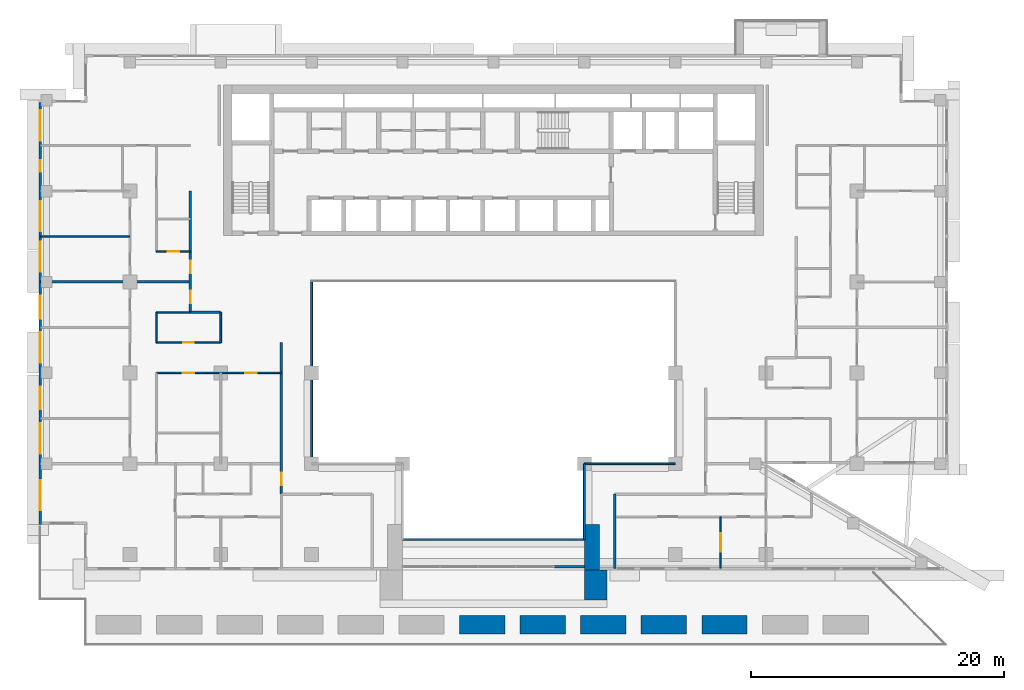
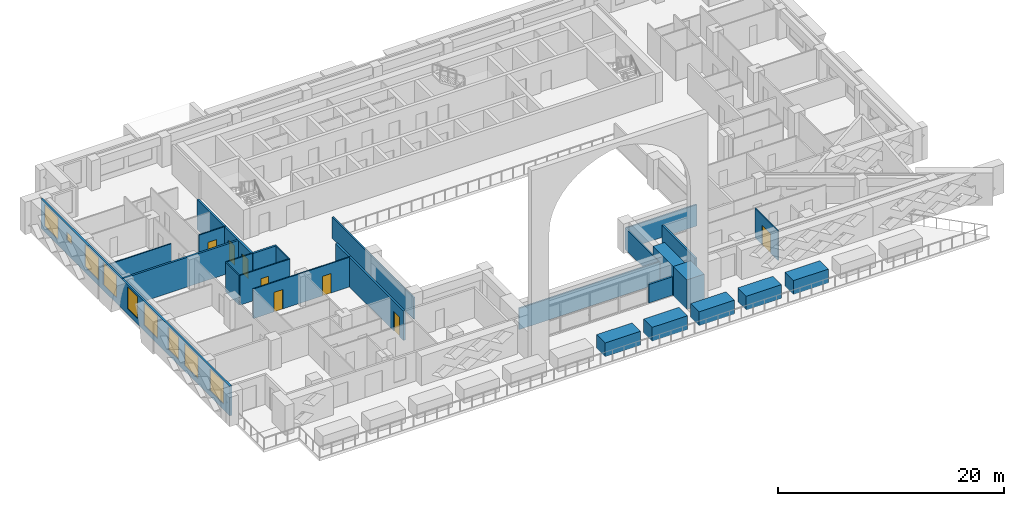
# One storey, part 7 of 17: 26 walls, 9 windows, 8 doors, 17 openings.
"""IFC4 building model written with IfcOpenShell, lengths in metres."""

from ifc_helpers import new_model, si_unit, direction, frame, frame_2d, origin, place, context, subcontext, project, spatial, rectangle, extrude, material, layer, layer_set, type_object, element, fill, save


model = new_model("IFC4")

# Units and contexts
model_context = context("Model", 3, precision=1e-05, world=origin(), true_north=direction((0.0, 1.0)))
body_context = subcontext(model_context, "Body", "Model", "MODEL_VIEW")
ifc_project = project(units=[si_unit("LENGTHUNIT", "METRE"), si_unit("AREAUNIT", "SQUARE_METRE"), si_unit("VOLUMEUNIT", "CUBIC_METRE"), si_unit("PLANEANGLEUNIT", "RADIAN"), si_unit("MASSUNIT", "GRAM", prefix="KILO")], contexts=[model_context])

# Site, building, storey
site_placement = place(None, origin())
site = spatial("IfcSite", under=ifc_project, at=site_placement, CompositionType="ELEMENT")
building_placement = place(site_placement, origin())
building = spatial("IfcBuilding", under=site, at=building_placement, Name="Saffron Iwan Residences", CompositionType="ELEMENT")
storey_placement = place(building_placement, frame((0.0, 0.0, 113.0)))
storey = spatial("IfcBuildingStorey", under=building, at=storey_placement, Name="L29", CompositionType="ELEMENT", Elevation=113.0)

# Walls
ifc_material_1 = material(Name="Fire-rated glazing", Category="glass")
ifc_layer_1 = layer(ifc_material_1, 0.14990234375)
ifc_layer_set_1 = layer_set([ifc_layer_1], Name="Fire-rated glazing")
wall_type_1 = type_object("IfcWallType", Name="Atrium glazed screen 150", PredefinedType="SOLIDWALL", material=ifc_layer_set_1)
wall_1_placement = place(storey_placement, frame((43.199951171875, 42.0, 0.0), z_axis=(0.0, 0.0, 1.0), x_axis=(1.0, 0.0, 0.0)))
element("IfcWall", 1, at=wall_1_placement, inside=storey, type_object=wall_type_1, Name="W-L29-SCREEN-h42-43.2", PredefinedType="SOLIDWALL", context=body_context, shape_type="SweptSolid", body=[
    extrude(rectangle(XDim=14.400146484375, YDim=0.14990234375, at=frame_2d((7.2001953125, 0.0))), origin(), (0.0, 0.0, 1.0), 2.300048828125),
])
wall_2_placement = place(storey_placement, frame((57.60009765625, 48.0, 0.0), z_axis=(0.0, 0.0, 1.0), x_axis=(1.0, 0.0, 0.0)))
element("IfcWall", 2, at=wall_2_placement, inside=storey, type_object=wall_type_1, Name="W-L29-SCREEN-h48-57.6", PredefinedType="SOLIDWALL", context=body_context, shape_type="SweptSolid", body=[
    extrude(rectangle(XDim=7.199951171875, YDim=0.14990234375, at=frame_2d((3.60009765625, 0.0))), origin(), (0.0, 0.0, 1.0), 2.300048828125),
])
wall_3_placement = place(storey_placement, frame((36.0, 48.0, 0.0), z_axis=(0.0, 0.0, 1.0), x_axis=(0.0, 1.0, 0.0)))
element("IfcWall", 3, at=wall_3_placement, inside=storey, type_object=wall_type_1, Name="W-L29-SCREEN-v36-48", PredefinedType="SOLIDWALL", context=body_context, shape_type="SweptSolid", body=[
    extrude(rectangle(XDim=14.39990234375, YDim=0.14990234375, at=frame_2d((7.199951171875, 0.0))), origin(), (0.0, 0.0, 1.0), 2.300048828125),
])
wall_4_placement = place(storey_placement, frame((57.60009765625, 42.0, 0.0), z_axis=(0.0, 0.0, 1.0), x_axis=(0.0, 1.0, 0.0)))
element("IfcWall", 4, at=wall_4_placement, inside=storey, type_object=wall_type_1, Name="W-L29-SCREEN-v57.6-42", PredefinedType="SOLIDWALL", context=body_context, shape_type="SweptSolid", body=[
    extrude(rectangle(XDim=6.0, YDim=0.14990234375, at=frame_2d((3.0, 0.0))), origin(), (0.0, 0.0, 1.0), 2.300048828125),
])

# Wall, openings, windows
ifc_material_2 = material(Name="Concrete C40/50", Category="concrete")
ifc_layer_2 = layer(ifc_material_2, 0.199951171875)
ifc_layer_set_2 = layer_set([ifc_layer_2], Name="Concrete C40/50")
wall_type_2 = type_object("IfcWallType", Name="EXTERNAL WALL 200", PredefinedType="SOLIDWALL", material=ifc_layer_set_2)
wall_5_placement = place(storey_placement, frame((14.5, 76.60009765625, 0.0), z_axis=(0.0, 0.0, 1.0), x_axis=(0.0, -1.0, 0.0)))
wall_5 = element("IfcWall", 5, at=wall_5_placement, inside=storey, type_object=wall_type_2, Name="External wall L29 F8.0", PredefinedType="SOLIDWALL", context=body_context, shape_type="SweptSolid", body=[
    extrude(rectangle(XDim=33.400146484375, YDim=0.199951171875, at=frame_2d((16.7001953125, 0.0))), origin(), (0.0, 0.0, 1.0), 3.199951171875),
])
opening_1_placement = place(wall_5_placement, frame((29.89990234375, 0.0, 0.60009765625)))
opening_1 = element("IfcOpeningElement", 6, at=opening_1_placement, cuts=wall_5, Name="Opening W1", PredefinedType="OPENING", context=body_context, shape_type="SweptSolid", body=[
    extrude(rectangle(XDim=2.39990234375, YDim=2.39990234375, at=frame_2d((1.199951171875, 1.199951171875))), frame((0.0, 0.10986328125, 0.0), z_axis=(0.0, -1.0, 0.0), x_axis=(1.0, 0.0, 0.0)), (0.0, 0.0, 1.0), 0.219970703125),
])
opening_2_placement = place(wall_5_placement, frame((25.39990234375, 0.0, 0.60009765625)))
opening_2 = element("IfcOpeningElement", 7, at=opening_2_placement, cuts=wall_5, Name="Opening W1", PredefinedType="OPENING", context=body_context, shape_type="SweptSolid", body=[
    extrude(rectangle(XDim=2.39990234375, YDim=2.39990234375, at=frame_2d((1.199951171875, 1.199951171875))), frame((0.0, 0.10986328125, 0.0), z_axis=(0.0, -1.0, 0.0), x_axis=(1.0, 0.0, 0.0)), (0.0, 0.0, 1.0), 0.219970703125),
])
opening_3_placement = place(wall_5_placement, frame((18.199951171875, 0.0, 0.60009765625)))
opening_3 = element("IfcOpeningElement", 8, at=opening_3_placement, cuts=wall_5, Name="Opening W1", PredefinedType="OPENING", context=body_context, shape_type="SweptSolid", body=[
    extrude(rectangle(XDim=2.39990234375, YDim=2.39990234375, at=frame_2d((1.199951171875, 1.199951171875))), frame((0.0, 0.10986328125, 0.0), z_axis=(0.0, -1.0, 0.0), x_axis=(1.0, 0.0, 0.0)), (0.0, 0.0, 1.0), 0.219970703125),
])
opening_4_placement = place(wall_5_placement, frame((22.5, 0.0, 0.60009765625)))
opening_4 = element("IfcOpeningElement", 9, at=opening_4_placement, cuts=wall_5, Name="Opening W8", PredefinedType="OPENING", context=body_context, shape_type="SweptSolid", body=[
    extrude(rectangle(XDim=1.800048828125, YDim=2.39990234375, at=frame_2d((0.89990234375, 1.199951171875))), frame((0.0, 0.10986328125, 0.0), z_axis=(0.0, -1.0, 0.0), x_axis=(1.0, 0.0, 0.0)), (0.0, 0.0, 1.0), 0.219970703125),
])
opening_5_placement = place(wall_5_placement, frame((15.300048828125, 0.0, 0.60009765625)))
opening_5 = element("IfcOpeningElement", 10, at=opening_5_placement, cuts=wall_5, Name="Opening W8", PredefinedType="OPENING", context=body_context, shape_type="SweptSolid", body=[
    extrude(rectangle(XDim=1.800048828125, YDim=2.39990234375, at=frame_2d((0.89990234375, 1.199951171875))), frame((0.0, 0.10986328125, 0.0), z_axis=(0.0, -1.0, 0.0), x_axis=(1.0, 0.0, 0.0)), (0.0, 0.0, 1.0), 0.219970703125),
])
opening_6_placement = place(wall_5_placement, frame((11.0, 0.0, 0.60009765625)))
opening_6 = element("IfcOpeningElement", 11, at=opening_6_placement, cuts=wall_5, Name="Opening W1", PredefinedType="OPENING", context=body_context, shape_type="SweptSolid", body=[
    extrude(rectangle(XDim=2.39990234375, YDim=2.39990234375, at=frame_2d((1.199951171875, 1.199951171875))), frame((0.0, 0.10986328125, 0.0), z_axis=(0.0, -1.0, 0.0), x_axis=(1.0, 0.0, 0.0)), (0.0, 0.0, 1.0), 0.219970703125),
])
opening_7_placement = place(wall_5_placement, frame((7.800048828125, 0.0, 0.60009765625)))
opening_7 = element("IfcOpeningElement", 12, at=opening_7_placement, cuts=wall_5, Name="Opening W1", PredefinedType="OPENING", context=body_context, shape_type="SweptSolid", body=[
    extrude(rectangle(XDim=2.39990234375, YDim=2.39990234375, at=frame_2d((1.199951171875, 1.199951171875))), frame((0.0, 0.10986328125, 0.0), z_axis=(0.0, -1.0, 0.0), x_axis=(1.0, 0.0, 0.0)), (0.0, 0.0, 1.0), 0.219970703125),
])
opening_8_placement = place(wall_5_placement, frame((4.550048828125, 0.0, 1.5)))
opening_8 = element("IfcOpeningElement", 13, at=opening_8_placement, cuts=wall_5, Name="Opening W6", PredefinedType="OPENING", context=body_context, shape_type="SweptSolid", body=[
    extrude(rectangle(XDim=0.89990234375, YDim=0.89990234375, at=frame_2d((0.449951171875, 0.449951171875))), frame((0.0, 0.10986328125, 0.0), z_axis=(0.0, -1.0, 0.0), x_axis=(1.0, 0.0, 0.0)), (0.0, 0.0, 1.0), 0.219970703125),
])
opening_9_placement = place(wall_5_placement, frame((0.60009765625, 0.0, 0.60009765625)))
opening_9 = element("IfcOpeningElement", 14, at=opening_9_placement, cuts=wall_5, Name="Opening W1", PredefinedType="OPENING", context=body_context, shape_type="SweptSolid", body=[
    extrude(rectangle(XDim=2.39990234375, YDim=2.39990234375, at=frame_2d((1.199951171875, 1.199951171875))), frame((0.0, 0.10986328125, 0.0), z_axis=(0.0, -1.0, 0.0), x_axis=(1.0, 0.0, 0.0)), (0.0, 0.0, 1.0), 0.219970703125),
])
ifc_material_3 = material(Name="Clear glass, laminated double glazed", Category="glass")
window_type_1 = type_object("IfcWindowType", Name="WINDOW 1800 x 2400", PartitioningType="DOUBLE_PANEL_VERTICAL", PredefinedType="WINDOW", material=ifc_material_3)
window_1_placement = place(opening_4_placement, origin())
window_1 = element("IfcWindow", 15, at=window_1_placement, inside=storey, type_object=window_type_1, Name="Window L29 F8.3", OverallHeight=2.39990234375, OverallWidth=1.800048828125, PartitioningType="DOUBLE_PANEL_VERTICAL", PredefinedType="WINDOW", context=body_context, shape_type="SweptSolid", body=[
    extrude(rectangle(XDim=1.800048828125, YDim=2.39990234375, at=frame_2d((0.89990234375, 1.199951171875))), frame((0.0, 0.030029296875, 0.0), z_axis=(0.0, -1.0, 0.0), x_axis=(1.0, 0.0, 0.0)), (0.0, 0.0, 1.0), 0.06005859375),
])
fill(opening_4, window_1)
window_2_placement = place(opening_5_placement, origin())
window_2 = element("IfcWindow", 16, at=window_2_placement, inside=storey, type_object=window_type_1, Name="Window L29 F8.4", OverallHeight=2.39990234375, OverallWidth=1.800048828125, PartitioningType="DOUBLE_PANEL_VERTICAL", PredefinedType="WINDOW", context=body_context, shape_type="SweptSolid", body=[
    extrude(rectangle(XDim=1.800048828125, YDim=2.39990234375, at=frame_2d((0.89990234375, 1.199951171875))), frame((0.0, 0.030029296875, 0.0), z_axis=(0.0, -1.0, 0.0), x_axis=(1.0, 0.0, 0.0)), (0.0, 0.0, 1.0), 0.06005859375),
])
fill(opening_5, window_2)
window_type_2 = type_object("IfcWindowType", Name="WINDOW 2400 x 2400", PartitioningType="DOUBLE_PANEL_VERTICAL", PredefinedType="WINDOW", material=ifc_material_3)
window_3_placement = place(opening_1_placement, origin())
window_3 = element("IfcWindow", 17, at=window_3_placement, inside=storey, type_object=window_type_2, Name="Window L29 F8.0", OverallHeight=2.39990234375, OverallWidth=2.39990234375, PartitioningType="DOUBLE_PANEL_VERTICAL", PredefinedType="WINDOW", context=body_context, shape_type="SweptSolid", body=[
    extrude(rectangle(XDim=2.39990234375, YDim=2.39990234375, at=frame_2d((1.199951171875, 1.199951171875))), frame((0.0, 0.030029296875, 0.0), z_axis=(0.0, -1.0, 0.0), x_axis=(1.0, 0.0, 0.0)), (0.0, 0.0, 1.0), 0.06005859375),
])
fill(opening_1, window_3)
window_4_placement = place(opening_2_placement, origin())
window_4 = element("IfcWindow", 18, at=window_4_placement, inside=storey, type_object=window_type_2, Name="Window L29 F8.1", OverallHeight=2.39990234375, OverallWidth=2.39990234375, PartitioningType="DOUBLE_PANEL_VERTICAL", PredefinedType="WINDOW", context=body_context, shape_type="SweptSolid", body=[
    extrude(rectangle(XDim=2.39990234375, YDim=2.39990234375, at=frame_2d((1.199951171875, 1.199951171875))), frame((0.0, 0.030029296875, 0.0), z_axis=(0.0, -1.0, 0.0), x_axis=(1.0, 0.0, 0.0)), (0.0, 0.0, 1.0), 0.06005859375),
])
fill(opening_2, window_4)
window_5_placement = place(opening_3_placement, origin())
window_5 = element("IfcWindow", 19, at=window_5_placement, inside=storey, type_object=window_type_2, Name="Window L29 F8.2", OverallHeight=2.39990234375, OverallWidth=2.39990234375, PartitioningType="DOUBLE_PANEL_VERTICAL", PredefinedType="WINDOW", context=body_context, shape_type="SweptSolid", body=[
    extrude(rectangle(XDim=2.39990234375, YDim=2.39990234375, at=frame_2d((1.199951171875, 1.199951171875))), frame((0.0, 0.030029296875, 0.0), z_axis=(0.0, -1.0, 0.0), x_axis=(1.0, 0.0, 0.0)), (0.0, 0.0, 1.0), 0.06005859375),
])
fill(opening_3, window_5)
window_6_placement = place(opening_6_placement, origin())
window_6 = element("IfcWindow", 20, at=window_6_placement, inside=storey, type_object=window_type_2, Name="Window L29 F8.5", OverallHeight=2.39990234375, OverallWidth=2.39990234375, PartitioningType="DOUBLE_PANEL_VERTICAL", PredefinedType="WINDOW", context=body_context, shape_type="SweptSolid", body=[
    extrude(rectangle(XDim=2.39990234375, YDim=2.39990234375, at=frame_2d((1.199951171875, 1.199951171875))), frame((0.0, 0.030029296875, 0.0), z_axis=(0.0, -1.0, 0.0), x_axis=(1.0, 0.0, 0.0)), (0.0, 0.0, 1.0), 0.06005859375),
])
fill(opening_6, window_6)
window_7_placement = place(opening_7_placement, origin())
window_7 = element("IfcWindow", 21, at=window_7_placement, inside=storey, type_object=window_type_2, Name="Window L29 F8.6", OverallHeight=2.39990234375, OverallWidth=2.39990234375, PartitioningType="DOUBLE_PANEL_VERTICAL", PredefinedType="WINDOW", context=body_context, shape_type="SweptSolid", body=[
    extrude(rectangle(XDim=2.39990234375, YDim=2.39990234375, at=frame_2d((1.199951171875, 1.199951171875))), frame((0.0, 0.030029296875, 0.0), z_axis=(0.0, -1.0, 0.0), x_axis=(1.0, 0.0, 0.0)), (0.0, 0.0, 1.0), 0.06005859375),
])
fill(opening_7, window_7)
window_8_placement = place(opening_9_placement, origin())
window_8 = element("IfcWindow", 22, at=window_8_placement, inside=storey, type_object=window_type_2, Name="Window L29 F8.8", OverallHeight=2.39990234375, OverallWidth=2.39990234375, PartitioningType="DOUBLE_PANEL_VERTICAL", PredefinedType="WINDOW", context=body_context, shape_type="SweptSolid", body=[
    extrude(rectangle(XDim=2.39990234375, YDim=2.39990234375, at=frame_2d((1.199951171875, 1.199951171875))), frame((0.0, 0.030029296875, 0.0), z_axis=(0.0, -1.0, 0.0), x_axis=(1.0, 0.0, 0.0)), (0.0, 0.0, 1.0), 0.06005859375),
])
fill(opening_9, window_8)
window_type_3 = type_object("IfcWindowType", Name="WINDOW 900 x 900 BATH", PartitioningType="SINGLE_PANEL", PredefinedType="WINDOW", material=ifc_material_3)
window_9_placement = place(opening_8_placement, origin())
window_9 = element("IfcWindow", 23, at=window_9_placement, inside=storey, type_object=window_type_3, Name="Window L29 F8.7", OverallHeight=0.89990234375, OverallWidth=0.89990234375, PartitioningType="SINGLE_PANEL", PredefinedType="WINDOW", context=body_context, shape_type="SweptSolid", body=[
    extrude(rectangle(XDim=0.89990234375, YDim=0.89990234375, at=frame_2d((0.449951171875, 0.449951171875))), frame((0.0, 0.030029296875, 0.0), z_axis=(0.0, -1.0, 0.0), x_axis=(1.0, 0.0, 0.0)), (0.0, 0.0, 1.0), 0.06005859375),
])
fill(opening_8, window_9)

# Walls
wall_6_placement = place(storey_placement, frame((55.199951171875, 39.85009765625, 0.0), z_axis=(0.0, 0.0, 1.0), x_axis=(1.0, 0.0, 0.0)))
element("IfcWall", 24, at=wall_6_placement, inside=storey, type_object=wall_type_2, Name="External wall infill CWB-L29-0", PredefinedType="SOLIDWALL", context=body_context, shape_type="SweptSolid", body=[
    extrude(rectangle(XDim=2.400146484375, YDim=0.199951171875, at=frame_2d((1.2001953125, 0.0))), origin(), (0.0, 0.0, 1.0), 2.0),
])
ifc_material_4 = material(Name="Fire-rated gypsum board wall")
ifc_layer_3 = layer(ifc_material_4, 0.199951171875)
ifc_layer_set_3 = layer_set([ifc_layer_3], Name="Fire-rated gypsum board wall")
wall_type_3 = type_object("IfcWallType", Name="Flat demising wall 200", PredefinedType="SOLIDWALL", material=ifc_layer_set_3)
wall_7_placement = place(storey_placement, frame((14.52490234375, 62.39990234375, 0.0), z_axis=(0.0, 0.0, 1.0), x_axis=(1.0, 0.0, 0.0)))
element("IfcWall", 25, at=wall_7_placement, inside=storey, type_object=wall_type_3, Name="W-L29-DEMISE-h62.4-14.525", PredefinedType="SOLIDWALL", context=body_context, shape_type="SweptSolid", body=[
    extrude(rectangle(XDim=11.875, YDim=0.199951171875, at=frame_2d((5.9375, 0.0))), origin(), (0.0, 0.0, 1.0), 3.199951171875),
])

# Wall, openings, doors
ifc_material_5 = material(Name="Gypsum board partition")
ifc_layer_4 = layer(ifc_material_5, 0.1201171875)
ifc_layer_set_4 = layer_set([ifc_layer_4], Name="Gypsum board partition")
wall_type_4 = type_object("IfcWallType", Name="Flat partition 120", PredefinedType="PARTITIONING", material=ifc_layer_set_4)
wall_8_placement = place(storey_placement, frame((23.699951171875, 55.199951171875, 0.0), z_axis=(0.0, 0.0, 1.0), x_axis=(1.0, 0.0, 0.0)))
wall_8 = element("IfcWall", 26, at=wall_8_placement, inside=storey, type_object=wall_type_4, Name="W-L29-PART-h55.2-23.7", PredefinedType="PARTITIONING", context=body_context, shape_type="SweptSolid", body=[
    extrude(rectangle(XDim=9.900146484375, YDim=0.1201171875, at=frame_2d((4.9501953125, 0.0))), origin(), (0.0, 0.0, 1.0), 3.199951171875),
])
opening_10_placement = place(wall_8_placement, frame((2.10009765625, 0.0, 0.0)))
opening_10 = element("IfcOpeningElement", 27, at=opening_10_placement, cuts=wall_8, Name="Opening FD2", PredefinedType="OPENING", context=body_context, shape_type="SweptSolid", body=[
    extrude(rectangle(XDim=0.89990234375, YDim=2.10009765625, at=frame_2d((0.449951171875, 1.050048828125))), frame((0.0, 0.070068359375, 0.0), z_axis=(0.0, -1.0, 0.0), x_axis=(1.0, 0.0, 0.0)), (0.0, 0.0, 1.0), 0.14013671875),
])
opening_11_placement = place(wall_8_placement, frame((7.050048828125, 0.0, 0.0)))
opening_11 = element("IfcOpeningElement", 28, at=opening_11_placement, cuts=wall_8, Name="Opening FD2", PredefinedType="OPENING", context=body_context, shape_type="SweptSolid", body=[
    extrude(rectangle(XDim=0.89990234375, YDim=2.10009765625, at=frame_2d((0.449951171875, 1.050048828125))), frame((0.0, 0.070068359375, 0.0), z_axis=(0.0, -1.0, 0.0), x_axis=(1.0, 0.0, 0.0)), (0.0, 0.0, 1.0), 0.14013671875),
])
ifc_material_6 = material(Name="Timber door", Category="wood")
door_type_1 = type_object("IfcDoorType", Name="Flat door 900", OperationType="NOTDEFINED", PredefinedType="DOOR", material=ifc_material_6)
door_1_placement = place(opening_10_placement, origin())
door_1 = element("IfcDoor", 29, at=door_1_placement, inside=storey, type_object=door_type_1, Name="Door L29-013", OperationType="SINGLE_SWING_LEFT", OverallHeight=2.10009765625, OverallWidth=0.89990234375, PredefinedType="DOOR", context=body_context, shape_type="SweptSolid", body=[
    extrude(rectangle(XDim=0.89990234375, YDim=2.10009765625, at=frame_2d((0.449951171875, 1.050048828125))), frame((0.0, 0.02490234375, 0.0), z_axis=(0.0, -1.0, 0.0), x_axis=(1.0, 0.0, 0.0)), (0.0, 0.0, 1.0), 0.050048828125),
])
fill(opening_10, door_1)
door_2_placement = place(opening_11_placement, origin())
door_2 = element("IfcDoor", 30, at=door_2_placement, inside=storey, type_object=door_type_1, Name="Door L29-015", OperationType="SINGLE_SWING_LEFT", OverallHeight=2.10009765625, OverallWidth=0.89990234375, PredefinedType="DOOR", context=body_context, shape_type="SweptSolid", body=[
    extrude(rectangle(XDim=0.89990234375, YDim=2.10009765625, at=frame_2d((0.449951171875, 1.050048828125))), frame((0.0, 0.02490234375, 0.0), z_axis=(0.0, -1.0, 0.0), x_axis=(1.0, 0.0, 0.0)), (0.0, 0.0, 1.0), 0.050048828125),
])
fill(opening_11, door_2)

# Wall, opening, door
wall_9_placement = place(storey_placement, frame((23.699951171875, 57.60009765625, 0.0), z_axis=(0.0, 0.0, 1.0), x_axis=(1.0, 0.0, 0.0)))
wall_9 = element("IfcWall", 31, at=wall_9_placement, inside=storey, type_object=wall_type_4, Name="W-L29-PART-h57.6-23.7", PredefinedType="PARTITIONING", context=body_context, shape_type="SweptSolid", body=[
    extrude(rectangle(XDim=5.10009765625, YDim=0.1201171875, at=frame_2d((2.550048828125, 0.0))), origin(), (0.0, 0.0, 1.0), 3.199951171875),
])
opening_12_placement = place(wall_9_placement, frame((2.14990234375, 0.0, 0.0)))
opening_12 = element("IfcOpeningElement", 32, at=opening_12_placement, cuts=wall_9, Name="Opening FD3", PredefinedType="OPENING", context=body_context, shape_type="SweptSolid", body=[
    extrude(rectangle(XDim=0.800048828125, YDim=2.10009765625, at=frame_2d((0.39990234375, 1.050048828125))), frame((0.0, 0.070068359375, 0.0), z_axis=(0.0, -1.0, 0.0), x_axis=(1.0, 0.0, 0.0)), (0.0, 0.0, 1.0), 0.14013671875),
])
door_type_2 = type_object("IfcDoorType", Name="Bathroom door 800", OperationType="NOTDEFINED", PredefinedType="DOOR", material=ifc_material_6)
door_3_placement = place(opening_12_placement, origin())
door_3 = element("IfcDoor", 33, at=door_3_placement, inside=storey, type_object=door_type_2, Name="Door L29-014", OperationType="SINGLE_SWING_RIGHT", OverallHeight=2.10009765625, OverallWidth=0.800048828125, PredefinedType="DOOR", context=body_context, shape_type="SweptSolid", body=[
    extrude(rectangle(XDim=0.800048828125, YDim=2.10009765625, at=frame_2d((0.39990234375, 1.050048828125))), frame((0.0, 0.02490234375, 0.0), z_axis=(0.0, -1.0, 0.0), x_axis=(1.0, 0.0, 0.0)), (0.0, 0.0, 1.0), 0.050048828125),
])
fill(opening_12, door_3)

# Wall
wall_10_placement = place(storey_placement, frame((23.699951171875, 60.0, 0.0), z_axis=(0.0, 0.0, 1.0), x_axis=(1.0, 0.0, 0.0)))
element("IfcWall", 34, at=wall_10_placement, inside=storey, type_object=wall_type_4, Name="W-L29-PART-h60-23.7", PredefinedType="PARTITIONING", context=body_context, shape_type="SweptSolid", body=[
    extrude(rectangle(XDim=2.699951171875, YDim=0.1201171875, at=frame_2d((1.35009765625, 0.0))), origin(), (0.0, 0.0, 1.0), 3.199951171875),
])

# Wall, opening, door
wall_11_placement = place(storey_placement, frame((23.699951171875, 64.800048828125, 0.0), z_axis=(0.0, 0.0, 1.0), x_axis=(1.0, 0.0, 0.0)))
wall_11 = element("IfcWall", 35, at=wall_11_placement, inside=storey, type_object=wall_type_4, Name="W-L29-PART-h64.8-23.7", PredefinedType="PARTITIONING", context=body_context, shape_type="SweptSolid", body=[
    extrude(rectangle(XDim=2.699951171875, YDim=0.1201171875, at=frame_2d((1.35009765625, 0.0))), origin(), (0.0, 0.0, 1.0), 3.199951171875),
])
opening_13_placement = place(wall_11_placement, frame((0.89990234375, 0.0, 0.0)))
opening_13 = element("IfcOpeningElement", 36, at=opening_13_placement, cuts=wall_11, Name="Opening FD2", PredefinedType="OPENING", context=body_context, shape_type="SweptSolid", body=[
    extrude(rectangle(XDim=0.89990234375, YDim=2.10009765625, at=frame_2d((0.449951171875, 1.050048828125))), frame((0.0, 0.070068359375, 0.0), z_axis=(0.0, -1.0, 0.0), x_axis=(1.0, 0.0, 0.0)), (0.0, 0.0, 1.0), 0.14013671875),
])
door_4_placement = place(opening_13_placement, origin())
door_4 = element("IfcDoor", 37, at=door_4_placement, inside=storey, type_object=door_type_1, Name="Door L29-027", OperationType="SINGLE_SWING_LEFT", OverallHeight=2.10009765625, OverallWidth=0.89990234375, PredefinedType="DOOR", context=body_context, shape_type="SweptSolid", body=[
    extrude(rectangle(XDim=0.89990234375, YDim=2.10009765625, at=frame_2d((0.449951171875, 1.050048828125))), frame((0.0, 0.02490234375, 0.0), z_axis=(0.0, -1.0, 0.0), x_axis=(1.0, 0.0, 0.0)), (0.0, 0.0, 1.0), 0.050048828125),
])
fill(opening_13, door_4)

# Walls
wall_12_placement = place(storey_placement, frame((14.52490234375, 66.0, 0.0), z_axis=(0.0, 0.0, 1.0), x_axis=(1.0, 0.0, 0.0)))
element("IfcWall", 38, at=wall_12_placement, inside=storey, type_object=wall_type_4, Name="W-L29-PART-h66-14.525", PredefinedType="PARTITIONING", context=body_context, shape_type="SweptSolid", body=[
    extrude(rectangle(XDim=7.0751953125, YDim=0.1201171875, at=frame_2d((3.53759765625, 0.0))), origin(), (0.0, 0.0, 1.0), 2.300048828125),
])
for number, where, z_axis, x_axis, name in (
    (39, (23.699951171875, 57.60009765625, 0.0), (0.0, 0.0, 1.0), (0.0, 1.0, 0.0), "W-L29-PART-v23.7-57.6"),
    (40, (28.800048828125, 57.60009765625, 0.0), (0.0, 0.0, 1.0), (0.0, 1.0, 0.0), "W-L29-PART-v28.8-57.6"),
):
    element("IfcWall", number, at=place(storey_placement, frame(where, z_axis=z_axis, x_axis=x_axis)), inside=storey, type_object=wall_type_4, Name=name, PredefinedType="PARTITIONING", context=body_context, shape_type="SweptSolid", body=[
        extrude(rectangle(XDim=2.39990234375, YDim=0.1201171875, at=frame_2d((1.199951171875, 0.0))), origin(), (0.0, 0.0, 1.0), 3.199951171875),
    ])

# Wall, opening, door
wall_13_placement = place(storey_placement, frame((68.39990234375, 39.72509765625, 0.0), z_axis=(0.0, 0.0, 1.0), x_axis=(0.0, 1.0, 0.0)))
wall_13 = element("IfcWall", 41, at=wall_13_placement, inside=storey, type_object=wall_type_4, Name="W-L29-PART-v68.4-39.725", PredefinedType="PARTITIONING", context=body_context, shape_type="SweptSolid", body=[
    extrude(rectangle(XDim=4.074951171875, YDim=0.1201171875, at=frame_2d((2.03759765625, 0.0))), origin(), (0.0, 0.0, 1.0), 3.199951171875),
])
opening_14_placement = place(wall_13_placement, frame((1.28759765625, 0.0, 0.0)))
opening_14 = element("IfcOpeningElement", 42, at=opening_14_placement, cuts=wall_13, Name="Opening FD4", PredefinedType="OPENING", context=body_context, shape_type="SweptSolid", body=[
    extrude(rectangle(XDim=1.5, YDim=2.10009765625, at=frame_2d((0.75, 1.050048828125))), frame((0.0, 0.070068359375, 0.0), z_axis=(0.0, -1.0, 0.0), x_axis=(1.0, 0.0, 0.0)), (0.0, 0.0, 1.0), 0.14013671875),
])
door_type_3 = type_object("IfcDoorType", Name="Double door 1500", OperationType="NOTDEFINED", PredefinedType="DOOR", material=ifc_material_6)
door_5_placement = place(opening_14_placement, origin())
door_5 = element("IfcDoor", 43, at=door_5_placement, inside=storey, type_object=door_type_3, Name="Door L29-038", OperationType="SINGLE_SWING_RIGHT", OverallHeight=2.10009765625, OverallWidth=1.5, PredefinedType="DOOR", context=body_context, shape_type="SweptSolid", body=[
    extrude(rectangle(XDim=1.5, YDim=2.10009765625, at=frame_2d((0.75, 1.050048828125))), frame((0.0, 0.02490234375, 0.0), z_axis=(0.0, -1.0, 0.0), x_axis=(1.0, 0.0, 0.0)), (0.0, 0.0, 1.0), 0.050048828125),
])
fill(opening_14, door_5)

# Wall
ifc_layer_5 = layer(ifc_material_4, 0.199951171875)
ifc_layer_set_5 = layer_set([ifc_layer_5], Name="Fire-rated gypsum board wall")
wall_type_5 = type_object("IfcWallType", Name="Gallery wall 200", PredefinedType="SOLIDWALL", material=ifc_layer_set_5)
wall_14_placement = place(storey_placement, frame((26.39990234375, 60.0, 0.0), z_axis=(0.0, 0.0, 1.0), x_axis=(1.0, 0.0, 0.0)))
element("IfcWall", 44, at=wall_14_placement, inside=storey, type_object=wall_type_5, Name="W-L29-CORR-h60-26.4", PredefinedType="SOLIDWALL", context=body_context, shape_type="SweptSolid", body=[
    extrude(rectangle(XDim=2.400146484375, YDim=0.199951171875, at=frame_2d((1.2001953125, 0.0))), origin(), (0.0, 0.0, 1.0), 3.199951171875),
])

# Wall, openings, doors
wall_15_placement = place(storey_placement, frame((26.39990234375, 60.0, 0.0), z_axis=(0.0, 0.0, 1.0), x_axis=(0.0, 1.0, 0.0)))
wall_15 = element("IfcWall", 45, at=wall_15_placement, inside=storey, type_object=wall_type_5, Name="W-L29-CORR-v26.4-60", PredefinedType="SOLIDWALL", context=body_context, shape_type="SweptSolid", body=[
    extrude(rectangle(XDim=9.60009765625, YDim=0.199951171875, at=frame_2d((4.800048828125, 0.0))), origin(), (0.0, 0.0, 1.0), 3.199951171875),
])
opening_15_placement = place(wall_15_placement, frame((0.699951171875, 0.0, 0.0)))
opening_15 = element("IfcOpeningElement", 46, at=opening_15_placement, cuts=wall_15, Name="Opening FD1", PredefinedType="OPENING", context=body_context, shape_type="SweptSolid", body=[
    extrude(rectangle(XDim=1.0, YDim=2.10009765625, at=frame_2d((0.5, 1.050048828125))), frame((0.0, 0.10986328125, 0.0), z_axis=(0.0, -1.0, 0.0), x_axis=(1.0, 0.0, 0.0)), (0.0, 0.0, 1.0), 0.219970703125),
])
opening_16_placement = place(wall_15_placement, frame((3.10009765625, 0.0, 0.0)))
opening_16 = element("IfcOpeningElement", 47, at=opening_16_placement, cuts=wall_15, Name="Opening FD1", PredefinedType="OPENING", context=body_context, shape_type="SweptSolid", body=[
    extrude(rectangle(XDim=1.0, YDim=2.10009765625, at=frame_2d((0.5, 1.050048828125))), frame((0.0, 0.10986328125, 0.0), z_axis=(0.0, -1.0, 0.0), x_axis=(1.0, 0.0, 0.0)), (0.0, 0.0, 1.0), 0.219970703125),
])
ifc_material_7 = material(Name="Fire-rated timber door", Category="wood")
door_type_4 = type_object("IfcDoorType", Name="FD30S flat entrance door 1000", OperationType="NOTDEFINED", PredefinedType="DOOR", material=ifc_material_7)
door_6_placement = place(opening_15_placement, origin())
door_6 = element("IfcDoor", 48, at=door_6_placement, inside=storey, type_object=door_type_4, Name="Door L29-008", OperationType="SINGLE_SWING_RIGHT", OverallHeight=2.10009765625, OverallWidth=1.0, PredefinedType="DOOR", context=body_context, shape_type="SweptSolid", body=[
    extrude(rectangle(XDim=1.0, YDim=2.10009765625, at=frame_2d((0.5, 1.050048828125))), frame((0.0, 0.02490234375, 0.0), z_axis=(0.0, -1.0, 0.0), x_axis=(1.0, 0.0, 0.0)), (0.0, 0.0, 1.0), 0.050048828125),
])
fill(opening_15, door_6)
door_7_placement = place(opening_16_placement, origin())
door_7 = element("IfcDoor", 49, at=door_7_placement, inside=storey, type_object=door_type_4, Name="Door L29-022", OperationType="SINGLE_SWING_LEFT", OverallHeight=2.10009765625, OverallWidth=1.0, PredefinedType="DOOR", context=body_context, shape_type="SweptSolid", body=[
    extrude(rectangle(XDim=1.0, YDim=2.10009765625, at=frame_2d((0.5, 1.050048828125))), frame((0.0, 0.02490234375, 0.0), z_axis=(0.0, -1.0, 0.0), x_axis=(1.0, 0.0, 0.0)), (0.0, 0.0, 1.0), 0.050048828125),
])
fill(opening_16, door_7)

# Wall, opening, door
wall_16_placement = place(storey_placement, frame((33.60009765625, 45.60009765625, 0.0), z_axis=(0.0, 0.0, 1.0), x_axis=(0.0, 1.0, 0.0)))
wall_16 = element("IfcWall", 50, at=wall_16_placement, inside=storey, type_object=wall_type_5, Name="W-L29-CORR-v33.6-45.6", PredefinedType="SOLIDWALL", context=body_context, shape_type="SweptSolid", body=[
    extrude(rectangle(XDim=12.0, YDim=0.199951171875, at=frame_2d((6.0, 0.0))), origin(), (0.0, 0.0, 1.0), 3.199951171875),
])
opening_17_placement = place(wall_16_placement, frame((0.699951171875, 0.0, 0.0)))
opening_17 = element("IfcOpeningElement", 51, at=opening_17_placement, cuts=wall_16, Name="Opening FD1", PredefinedType="OPENING", context=body_context, shape_type="SweptSolid", body=[
    extrude(rectangle(XDim=1.0, YDim=2.10009765625, at=frame_2d((0.5, 1.050048828125))), frame((0.0, 0.10986328125, 0.0), z_axis=(0.0, -1.0, 0.0), x_axis=(1.0, 0.0, 0.0)), (0.0, 0.0, 1.0), 0.219970703125),
])
door_8_placement = place(opening_17_placement, origin())
door_8 = element("IfcDoor", 52, at=door_8_placement, inside=storey, type_object=door_type_4, Name="Door L29-001", OperationType="SINGLE_SWING_LEFT", OverallHeight=2.10009765625, OverallWidth=1.0, PredefinedType="DOOR", context=body_context, shape_type="SweptSolid", body=[
    extrude(rectangle(XDim=1.0, YDim=2.10009765625, at=frame_2d((0.5, 1.050048828125))), frame((0.0, 0.02490234375, 0.0), z_axis=(0.0, -1.0, 0.0), x_axis=(1.0, 0.0, 0.0)), (0.0, 0.0, 1.0), 0.050048828125),
])
fill(opening_17, door_8)

# Walls
wall_17_placement = place(storey_placement, frame((60.0, 39.72509765625, 0.0), z_axis=(0.0, 0.0, 1.0), x_axis=(0.0, 1.0, 0.0)))
element("IfcWall", 53, at=wall_17_placement, inside=storey, type_object=wall_type_5, Name="W-L29-CORR-v60-39.725", PredefinedType="SOLIDWALL", context=body_context, shape_type="SweptSolid", body=[
    extrude(rectangle(XDim=5.875, YDim=0.199951171875, at=frame_2d((2.9375, 0.0))), origin(), (0.0, 0.0, 1.0), 3.199951171875),
])
ifc_material_8 = material(Name="Terracotta screen, precast concrete C40/50", Category="masonry")
ifc_layer_6 = layer(ifc_material_8, 1.800048828125)
ifc_layer_set_6 = layer_set([ifc_layer_6], Name="Terracotta screen, precast concrete C40/50")
wall_type_6 = type_object("IfcWallType", Name="Portal pier, precast concrete 1800 (tower)", PredefinedType="SOLIDWALL", material=ifc_layer_set_6)
wall_18_placement = place(storey_placement, frame((58.5, 37.199951171875, 0.0), z_axis=(0.0, 0.0, 1.0), x_axis=(0.0, 1.0, 0.0)))
element("IfcWall", 54, at=wall_18_placement, inside=storey, type_object=wall_type_6, Name="Portal pier E L29", PredefinedType="SOLIDWALL", context=body_context, shape_type="SweptSolid", body=[
    extrude(rectangle(XDim=2.400146484375, YDim=1.800048828125, at=frame_2d((1.2001953125, 0.0))), origin(), (0.0, 0.0, 1.0), 3.199951171875),
])
ifc_layer_7 = layer(ifc_material_2, 1.5)
ifc_layer_set_7 = layer_set([ifc_layer_7], Name="Concrete C40/50")
wall_type_7 = type_object("IfcWallType", Name="SKY GARDEN PLANTER 1500", PredefinedType="STANDARD", material=ifc_layer_set_7)
for number, where, z_axis, x_axis, name in (
    (55, (47.699951171875, 35.25, 0.0), (0.0, 0.0, 1.0), (1.0, 0.0, 0.0), "PLANTER terrace 7"),
    (56, (52.5, 35.25, 0.0), (0.0, 0.0, 1.0), (1.0, 0.0, 0.0), "PLANTER terrace 8"),
):
    element("IfcWall", number, at=place(storey_placement, frame(where, z_axis=z_axis, x_axis=x_axis)), inside=storey, type_object=wall_type_7, Name=name, PredefinedType="STANDARD", context=body_context, shape_type="SweptSolid", body=[
        extrude(rectangle(XDim=3.60009765625, YDim=1.5, at=frame_2d((1.800048828125, 0.0))), origin(), (0.0, 0.0, 1.0), 1.5),
    ])
for number, where, z_axis, x_axis, name in (
    (57, (57.300048828125, 35.25, 0.0), (0.0, 0.0, 1.0), (1.0, 0.0, 0.0), "PLANTER terrace 9"),
    (58, (62.10009765625, 35.25, 0.0), (0.0, 0.0, 1.0), (1.0, 0.0, 0.0), "PLANTER terrace 10"),
):
    element("IfcWall", number, at=place(storey_placement, frame(where, z_axis=z_axis, x_axis=x_axis)), inside=storey, type_object=wall_type_7, Name=name, PredefinedType="STANDARD", context=body_context, shape_type="SweptSolid", body=[
        extrude(rectangle(XDim=3.599853515625, YDim=1.5, at=frame_2d((1.7998046875, 0.0))), origin(), (0.0, 0.0, 1.0), 1.5),
    ])
wall_19_placement = place(storey_placement, frame((66.89990234375, 35.25, 0.0), z_axis=(0.0, 0.0, 1.0), x_axis=(1.0, 0.0, 0.0)))
element("IfcWall", 59, at=wall_19_placement, inside=storey, type_object=wall_type_7, Name="PLANTER terrace 11", PredefinedType="STANDARD", context=body_context, shape_type="SweptSolid", body=[
    extrude(rectangle(XDim=3.60009765625, YDim=1.5, at=frame_2d((1.800048828125, 0.0))), origin(), (0.0, 0.0, 1.0), 1.5),
])
ifc_material_9 = material(Name="Concrete C50/60", Category="concrete")
ifc_layer_8 = layer(ifc_material_9, 1.199951171875)
ifc_layer_set_8 = layer_set([ifc_layer_8], Name="Concrete C50/60")
wall_type_8 = type_object("IfcWallType", Name="WALL IWAN PIER 1200 C50/60 3200 HIGH", PredefinedType="SHEAR", material=ifc_layer_set_8)
wall_20_placement = place(storey_placement, frame((58.199951171875, 39.60009765625, 0.0), z_axis=(0.0, 0.0, 1.0), x_axis=(0.0, 1.0, 0.0)))
element("IfcWall", 60, at=wall_20_placement, inside=storey, type_object=wall_type_8, Name="IWAN PIER", PredefinedType="SHEAR", context=body_context, shape_type="SweptSolid", body=[
    extrude(rectangle(XDim=3.599853515625, YDim=1.199951171875, at=frame_2d((1.7998046875, 0.0))), origin(), (0.0, 0.0, 1.0), 3.199951171875),
])

save(model, "model.ifc")
